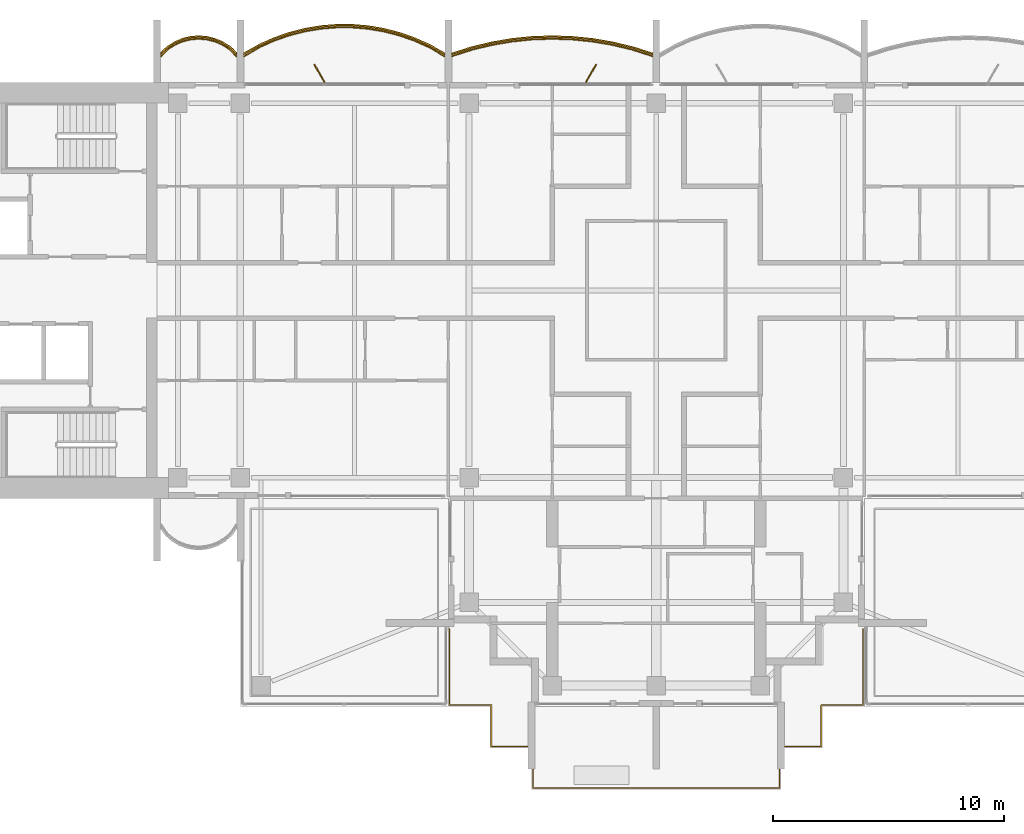
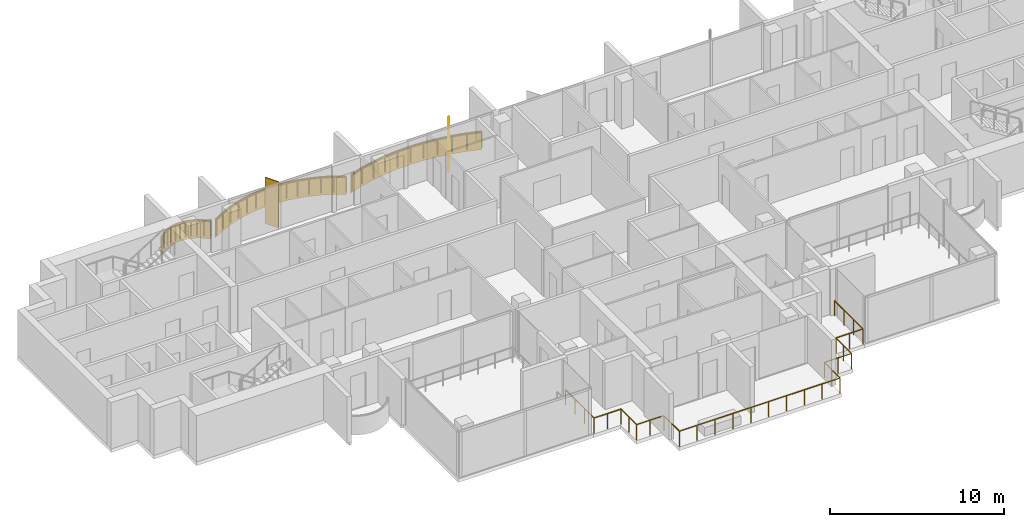
# One storey, part 14 of 16: 4 railings, 3 coverings, 2 shading devices.
"""IFC4 building model written with IfcOpenShell, lengths in metres."""

from ifc_helpers import new_model, si_unit, direction, frame, origin, origin_2d, place, context, subcontext, project, spatial, polyline, rectangle, outline, extrude, material, layer, layer_set, type_object, element, save


model = new_model("IFC4")

# Units and contexts
model_context = context("Model", 3, precision=1e-05, world=origin(), true_north=direction((0.0, 1.0)))
body_context = subcontext(model_context, "Body", "Model", "MODEL_VIEW")
ifc_project = project(units=[si_unit("LENGTHUNIT", "METRE"), si_unit("AREAUNIT", "SQUARE_METRE"), si_unit("VOLUMEUNIT", "CUBIC_METRE"), si_unit("PLANEANGLEUNIT", "RADIAN"), si_unit("MASSUNIT", "GRAM", prefix="KILO")], contexts=[model_context])

# Site, building, storey
site_placement = place(None, origin())
site = spatial("IfcSite", under=ifc_project, at=site_placement, CompositionType="ELEMENT")
building_placement = place(site_placement, origin())
building = spatial("IfcBuilding", under=site, at=building_placement, Name="Perihelion Cross Residences", CompositionType="ELEMENT")
storey_placement = place(building_placement, frame((0.0, 0.0, 232.5)))
storey = spatial("IfcBuildingStorey", under=building, at=storey_placement, Name="L58", CompositionType="ELEMENT", Elevation=232.5)

# Coverings
ifc_material_1 = material(Name="Bronze anodised aluminium", Category="aluminium")
ifc_layer_1 = layer(ifc_material_1, 0.070068359375)
ifc_layer_set_1 = layer_set([ifc_layer_1], Name="Balcony fascia 1300")
covering_type = type_object("IfcCoveringType", Name="Balcony fascia 1300", PredefinedType="CLADDING", material=ifc_layer_set_1)
covering_1_placement = place(storey_placement, frame((0.0, 0.0, -0.199951171875)))
element("IfcCovering", 1, at=covering_1_placement, inside=storey, type_object=covering_type, Name="Fascia BF1 L58 north side east bay 2", PredefinedType="CLADDING", context=body_context, shape_type="SweptSolid", body=[
    extrude(outline(polyline([(-1.001220703125, 10.542724609375), (-1.8759765625, 10.753662109375), (-2.750732421875, 10.90234375), (-3.625244140625, 10.99072265625), (-4.5, 11.02001953125), (-5.374755859375, 10.99072265625), (-6.249267578125, 10.90234375), (-7.1240234375, 10.753662109375), (-7.998779296875, 10.542724609375), (-8.85009765625, 10.2734375), (-8.85009765625, 10.199951171875), (-7.97998046875, 10.47509765625), (-7.110107421875, 10.68505859375), (-6.239990234375, 10.8330078125), (-5.3701171875, 10.9208984375), (-4.5, 10.949951171875), (-3.6298828125, 10.9208984375), (-2.760009765625, 10.8330078125), (-1.889892578125, 10.68505859375), (-1.02001953125, 10.47509765625), (-0.14990234375, 10.199951171875), (-0.14990234375, 10.2734375), (-1.001220703125, 10.542724609375)])), origin(), (0.0, 0.0, 1.0), 1.300048828125),
])
covering_2_placement = place(storey_placement, frame((0.0, 0.0, -0.199951171875)))
element("IfcCovering", 2, at=covering_2_placement, inside=storey, type_object=covering_type, Name="Fascia BF1 L58 west side north bay 1", PredefinedType="CLADDING", context=body_context, shape_type="SweptSolid", body=[
    extrude(outline(polyline([(-9.787841796875, 10.63916015625), (-10.462646484375, 10.941650390625), (-11.1376953125, 11.175048828125), (-11.8125, 11.345947265625), (-12.487548828125, 11.457763671875), (-13.16259765625, 11.51318359375), (-13.83740234375, 11.51318359375), (-14.512451171875, 11.457763671875), (-15.1875, 11.345947265625), (-15.8623046875, 11.175048828125), (-16.537353515625, 10.941650390625), (-17.212158203125, 10.63916015625), (-17.85009765625, 10.2802734375), (-17.85009765625, 10.199951171875), (-17.1806640625, 10.57666015625), (-16.511474609375, 10.87646484375), (-15.84228515625, 11.108154296875), (-15.173095703125, 11.27734375), (-14.50390625, 11.38818359375), (-13.834716796875, 11.443115234375), (-13.165283203125, 11.443115234375), (-12.49609375, 11.38818359375), (-11.826904296875, 11.27734375), (-11.15771484375, 11.108154296875), (-10.488525390625, 10.87646484375), (-9.8193359375, 10.57666015625), (-9.14990234375, 10.199951171875), (-9.14990234375, 10.2802734375), (-9.787841796875, 10.63916015625)])), origin(), (0.0, 0.0, 1.0), 1.300048828125),
])
covering_3_placement = place(storey_placement, frame((0.0, 0.0, -0.199951171875)))
element("IfcCovering", 3, at=covering_3_placement, inside=storey, type_object=covering_type, Name="Fascia BF1 L58 west side north bay 2", PredefinedType="CLADDING", context=body_context, shape_type="SweptSolid", body=[
    extrude(outline(polyline([(-18.4375, 10.56298828125), (-18.778076171875, 10.77587890625), (-19.11865234375, 10.914794921875), (-19.45947265625, 10.994140625), (-19.800048828125, 11.02001953125), (-20.140625, 10.994140625), (-20.481201171875, 10.914794921875), (-20.82177734375, 10.77587890625), (-21.16259765625, 10.56298828125), (-21.449951171875, 10.295654296875), (-21.449951171875, 10.199951171875), (-21.1201171875, 10.507568359375), (-20.7900390625, 10.71337890625), (-20.4599609375, 10.84814453125), (-20.1298828125, 10.925048828125), (-19.800048828125, 10.949951171875), (-19.469970703125, 10.925048828125), (-19.139892578125, 10.84814453125), (-18.81005859375, 10.71337890625), (-18.47998046875, 10.507568359375), (-18.14990234375, 10.199951171875), (-18.14990234375, 10.295654296875), (-18.4375, 10.56298828125)])), origin(), (0.0, 0.0, 1.0), 1.300048828125),
])

# Railings
ifc_material_2 = material(Name="Bronze anodised aluminium", Category="aluminium")
railing_type_1 = type_object("IfcRailingType", Name="Balcony guard 1100", PredefinedType="GUARDRAIL", material=ifc_material_2)
railing_1_placement = place(storey_placement, frame((-0.175048828125, 10.139892578125, 0.0)))
element("IfcRailing", 4, at=railing_1_placement, inside=storey, type_object=railing_type_1, Name="Guard GU1 L58 north side east bay 2 balcony", PredefinedType="GUARDRAIL", context=body_context, shape_type="SweptSolid", body=[
    extrude(rectangle(XDim=0.048095703125, YDim=0.048095703125, at=origin_2d()), frame((0.0, 0.0, 1.076171875), z_axis=(-0.950777354264, 0.30987484993, 0.0), x_axis=(-0.30987484993, -0.950777354264, 0.0)), (0.0, 0.0, 1.0), 0.888671875),
    extrude(rectangle(XDim=0.048095703125, YDim=0.048095703125, at=origin_2d()), frame((-0.844970703125, 0.275390625, 1.076171875), z_axis=(-0.972146551129, 0.234373810671, 0.0), x_axis=(-0.234373810671, -0.972146551129, 0.0)), (0.0, 0.0, 1.0), 0.894775390625),
    extrude(rectangle(XDim=0.048095703125, YDim=0.048095703125, at=origin_2d()), frame((-1.71484375, 0.485107421875, 1.076171875), z_axis=(-0.985850361727, 0.167627755108, 0.0), x_axis=(-0.167627755108, -0.985850361727, 0.0)), (0.0, 0.0, 1.0), 0.882568359375),
    extrude(rectangle(XDim=0.048095703125, YDim=0.048095703125, at=origin_2d()), frame((-2.5849609375, 0.633056640625, 1.076171875), z_axis=(-0.994934368303, 0.100526627165, 0.0), x_axis=(-0.100526627165, -0.994934368303, 0.0)), (0.0, 0.0, 1.0), 0.874267578125),
    extrude(rectangle(XDim=0.048095703125, YDim=0.048095703125, at=origin_2d()), frame((-3.454833984375, 0.720947265625, 1.076171875), z_axis=(-0.999443037968, 0.0333708534, 0.0), x_axis=(-0.0333708534, -0.999443037968, 0.0)), (0.0, 0.0, 1.0), 0.87060546875),
    extrude(rectangle(XDim=0.048095703125, YDim=0.048095703125, at=origin_2d()), frame((-4.324951171875, 0.75, 1.076171875), z_axis=(-0.999443037968, -0.0333708534, 0.0), x_axis=(0.0333708534, -0.999443037968, 0.0)), (0.0, 0.0, 1.0), 0.87060546875),
    extrude(rectangle(XDim=0.048095703125, YDim=0.048095703125, at=origin_2d()), frame((-5.195068359375, 0.720947265625, 1.076171875), z_axis=(-0.994934368303, -0.100526627165, 0.0), x_axis=(0.100526627165, -0.994934368303, 0.0)), (0.0, 0.0, 1.0), 0.874267578125),
    extrude(rectangle(XDim=0.048095703125, YDim=0.048095703125, at=origin_2d()), frame((-6.06494140625, 0.633056640625, 1.076171875), z_axis=(-0.985850361727, -0.167627755108, 0.0), x_axis=(0.167627755108, -0.985850361727, 0.0)), (0.0, 0.0, 1.0), 0.882568359375),
    extrude(rectangle(XDim=0.048095703125, YDim=0.048095703125, at=origin_2d()), frame((-6.93505859375, 0.485107421875, 1.076171875), z_axis=(-0.972146551129, -0.234373810671, 0.0), x_axis=(0.234373810671, -0.972146551129, 0.0)), (0.0, 0.0, 1.0), 0.894775390625),
    extrude(rectangle(XDim=0.048095703125, YDim=0.048095703125, at=origin_2d()), frame((-7.804931640625, 0.275390625, 1.076171875), z_axis=(-0.950777354264, -0.30987484993, 0.0), x_axis=(0.30987484993, -0.950777354264, 0.0)), (0.0, 0.0, 1.0), 0.888671875),
    extrude(rectangle(XDim=0.0419921875, YDim=0.0419921875, at=origin_2d()), origin(), (0.0, 0.0, 1.0), 1.052001953125),
    extrude(rectangle(XDim=0.0419921875, YDim=0.0419921875, at=origin_2d()), frame((-0.844970703125, 0.275390625, 0.0)), (0.0, 0.0, 1.0), 1.052001953125),
    extrude(rectangle(XDim=0.0419921875, YDim=0.0419921875, at=origin_2d()), frame((-1.71484375, 0.485107421875, 0.0)), (0.0, 0.0, 1.0), 1.052001953125),
    extrude(rectangle(XDim=0.0419921875, YDim=0.0419921875, at=origin_2d()), frame((-2.5849609375, 0.633056640625, 0.0)), (0.0, 0.0, 1.0), 1.052001953125),
    extrude(rectangle(XDim=0.0419921875, YDim=0.0419921875, at=origin_2d()), frame((-3.454833984375, 0.720947265625, 0.0)), (0.0, 0.0, 1.0), 1.052001953125),
    extrude(rectangle(XDim=0.0419921875, YDim=0.0419921875, at=origin_2d()), frame((-4.324951171875, 0.75, 0.0)), (0.0, 0.0, 1.0), 1.052001953125),
    extrude(rectangle(XDim=0.0419921875, YDim=0.0419921875, at=origin_2d()), frame((-5.195068359375, 0.720947265625, 0.0)), (0.0, 0.0, 1.0), 1.052001953125),
    extrude(rectangle(XDim=0.0419921875, YDim=0.0419921875, at=origin_2d()), frame((-6.06494140625, 0.633056640625, 0.0)), (0.0, 0.0, 1.0), 1.052001953125),
    extrude(rectangle(XDim=0.0419921875, YDim=0.0419921875, at=origin_2d()), frame((-6.93505859375, 0.485107421875, 0.0)), (0.0, 0.0, 1.0), 1.052001953125),
    extrude(rectangle(XDim=0.0419921875, YDim=0.0419921875, at=origin_2d()), frame((-7.804931640625, 0.275390625, 0.0)), (0.0, 0.0, 1.0), 1.052001953125),
    extrude(rectangle(XDim=0.0419921875, YDim=0.0419921875, at=origin_2d()), frame((-8.64990234375, 0.0, 0.0)), (0.0, 0.0, 1.0), 1.052001953125),
])
railing_2_placement = place(storey_placement, frame((-9.175048828125, 10.139892578125, 0.0)))
element("IfcRailing", 5, at=railing_2_placement, inside=storey, type_object=railing_type_1, Name="Guard GU1 L58 west side north bay 1 balcony", PredefinedType="GUARDRAIL", context=body_context, shape_type="SweptSolid", body=[
    extrude(rectangle(XDim=0.048095703125, YDim=0.048095703125, at=origin_2d()), frame((0.0, 0.0, 1.076171875), z_axis=(-0.863125740505, 0.504989065305, 0.0), x_axis=(-0.504989065305, -0.863125740505, 0.0)), (0.0, 0.0, 1.0), 0.746337890625),
    extrude(rectangle(XDim=0.048095703125, YDim=0.048095703125, at=origin_2d()), frame((-0.644287109375, 0.376953125, 1.076171875), z_axis=(-0.912723499295, 0.408577794103, 0.0), x_axis=(-0.408577794103, -0.912723499295, 0.0)), (0.0, 0.0, 1.0), 0.733154296875),
    extrude(rectangle(XDim=0.048095703125, YDim=0.048095703125, at=origin_2d()), frame((-1.3134765625, 0.676513671875, 1.076171875), z_axis=(-0.944965577734, 0.327169767701, 0.0), x_axis=(-0.327169767701, -0.944965577734, 0.0)), (0.0, 0.0, 1.0), 0.708251953125),
    extrude(rectangle(XDim=0.048095703125, YDim=0.048095703125, at=origin_2d()), frame((-1.982666015625, 0.908203125, 1.076171875), z_axis=(-0.96949408574, 0.245114703181, 0.0), x_axis=(-0.245114703181, -0.96949408574, 0.0)), (0.0, 0.0, 1.0), 0.690185546875),
    extrude(rectangle(XDim=0.048095703125, YDim=0.048095703125, at=origin_2d()), frame((-2.65185546875, 1.077392578125, 1.076171875), z_axis=(-0.986500713816, 0.163756959061, 0.0), x_axis=(-0.163756959061, -0.986500713816, 0.0)), (0.0, 0.0, 1.0), 0.678466796875),
    extrude(rectangle(XDim=0.048095703125, YDim=0.048095703125, at=origin_2d()), frame((-3.321044921875, 1.1884765625, 1.076171875), z_axis=(-0.996677390684, 0.081450468994, 0.0), x_axis=(-0.081450468994, -0.996677390684, 0.0)), (0.0, 0.0, 1.0), 0.67138671875),
    extrude(rectangle(XDim=0.048095703125, YDim=0.048095703125, at=origin_2d()), frame((-3.990234375, 1.2431640625, 1.076171875), z_axis=(-1.0, 0.0, 0.0), x_axis=(0.0, -1.0, 0.0)), (0.0, 0.0, 1.0), 0.66943359375),
    extrude(rectangle(XDim=0.048095703125, YDim=0.048095703125, at=origin_2d()), frame((-4.65966796875, 1.2431640625, 1.076171875), z_axis=(-0.996677390684, -0.081450468994, 0.0), x_axis=(0.081450468994, -0.996677390684, 0.0)), (0.0, 0.0, 1.0), 0.67138671875),
    extrude(rectangle(XDim=0.048095703125, YDim=0.048095703125, at=origin_2d()), frame((-5.328857421875, 1.1884765625, 1.076171875), z_axis=(-0.986500713816, -0.163756959061, 0.0), x_axis=(0.163756959061, -0.986500713816, 0.0)), (0.0, 0.0, 1.0), 0.678466796875),
    extrude(rectangle(XDim=0.048095703125, YDim=0.048095703125, at=origin_2d()), frame((-5.998046875, 1.077392578125, 1.076171875), z_axis=(-0.96949408574, -0.245114703181, 0.0), x_axis=(0.245114703181, -0.96949408574, 0.0)), (0.0, 0.0, 1.0), 0.690185546875),
    extrude(rectangle(XDim=0.048095703125, YDim=0.048095703125, at=origin_2d()), frame((-6.667236328125, 0.908203125, 1.076171875), z_axis=(-0.944965577734, -0.327169767701, 0.0), x_axis=(0.327169767701, -0.944965577734, 0.0)), (0.0, 0.0, 1.0), 0.708251953125),
    extrude(rectangle(XDim=0.048095703125, YDim=0.048095703125, at=origin_2d()), frame((-7.33642578125, 0.676513671875, 1.076171875), z_axis=(-0.912723499295, -0.408577794103, 0.0), x_axis=(0.408577794103, -0.912723499295, 0.0)), (0.0, 0.0, 1.0), 0.733154296875),
    extrude(rectangle(XDim=0.048095703125, YDim=0.048095703125, at=origin_2d()), frame((-8.005615234375, 0.376953125, 1.076171875), z_axis=(-0.863125740505, -0.504989065305, 0.0), x_axis=(0.504989065305, -0.863125740505, 0.0)), (0.0, 0.0, 1.0), 0.746337890625),
    extrude(rectangle(XDim=0.0419921875, YDim=0.0419921875, at=origin_2d()), origin(), (0.0, 0.0, 1.0), 1.052001953125),
    extrude(rectangle(XDim=0.0419921875, YDim=0.0419921875, at=origin_2d()), frame((-0.644287109375, 0.376953125, 0.0)), (0.0, 0.0, 1.0), 1.052001953125),
    extrude(rectangle(XDim=0.0419921875, YDim=0.0419921875, at=origin_2d()), frame((-1.3134765625, 0.676513671875, 0.0)), (0.0, 0.0, 1.0), 1.052001953125),
    extrude(rectangle(XDim=0.0419921875, YDim=0.0419921875, at=origin_2d()), frame((-1.982666015625, 0.908203125, 0.0)), (0.0, 0.0, 1.0), 1.052001953125),
    extrude(rectangle(XDim=0.0419921875, YDim=0.0419921875, at=origin_2d()), frame((-2.65185546875, 1.077392578125, 0.0)), (0.0, 0.0, 1.0), 1.052001953125),
    extrude(rectangle(XDim=0.0419921875, YDim=0.0419921875, at=origin_2d()), frame((-3.321044921875, 1.1884765625, 0.0)), (0.0, 0.0, 1.0), 1.052001953125),
    extrude(rectangle(XDim=0.0419921875, YDim=0.0419921875, at=origin_2d()), frame((-3.990234375, 1.2431640625, 0.0)), (0.0, 0.0, 1.0), 1.052001953125),
    extrude(rectangle(XDim=0.0419921875, YDim=0.0419921875, at=origin_2d()), frame((-4.65966796875, 1.2431640625, 0.0)), (0.0, 0.0, 1.0), 1.052001953125),
    extrude(rectangle(XDim=0.0419921875, YDim=0.0419921875, at=origin_2d()), frame((-5.328857421875, 1.1884765625, 0.0)), (0.0, 0.0, 1.0), 1.052001953125),
    extrude(rectangle(XDim=0.0419921875, YDim=0.0419921875, at=origin_2d()), frame((-5.998046875, 1.077392578125, 0.0)), (0.0, 0.0, 1.0), 1.052001953125),
    extrude(rectangle(XDim=0.0419921875, YDim=0.0419921875, at=origin_2d()), frame((-6.667236328125, 0.908203125, 0.0)), (0.0, 0.0, 1.0), 1.052001953125),
    extrude(rectangle(XDim=0.0419921875, YDim=0.0419921875, at=origin_2d()), frame((-7.33642578125, 0.676513671875, 0.0)), (0.0, 0.0, 1.0), 1.052001953125),
    extrude(rectangle(XDim=0.0419921875, YDim=0.0419921875, at=origin_2d()), frame((-8.005615234375, 0.376953125, 0.0)), (0.0, 0.0, 1.0), 1.052001953125),
    extrude(rectangle(XDim=0.0419921875, YDim=0.0419921875, at=origin_2d()), frame((-8.64990234375, 0.0, 0.0)), (0.0, 0.0, 1.0), 1.052001953125),
])
railing_3_placement = place(storey_placement, frame((-18.175048828125, 10.139892578125, 0.0)))
element("IfcRailing", 6, at=railing_3_placement, inside=storey, type_object=railing_type_1, Name="Guard GU1 L58 west side north bay 2 balcony", PredefinedType="GUARDRAIL", context=body_context, shape_type="SweptSolid", body=[
    extrude(rectangle(XDim=0.048095703125, YDim=0.048095703125, at=origin_2d()), frame((0.0, 0.0, 1.076171875), z_axis=(-0.703999905859, 0.710200065158, 0.0), x_axis=(-0.710200065158, -0.703999905859, 0.0)), (0.0, 0.0, 1.0), 0.43310546875),
    extrude(rectangle(XDim=0.048095703125, YDim=0.048095703125, at=origin_2d()), frame((-0.304931640625, 0.3076171875, 1.076171875), z_axis=(-0.848280173265, 0.529547682127, 0.0), x_axis=(-0.529547682127, -0.848280173265, 0.0)), (0.0, 0.0, 1.0), 0.38916015625),
    extrude(rectangle(XDim=0.048095703125, YDim=0.048095703125, at=origin_2d()), frame((-0.635009765625, 0.513671875, 1.076171875), z_axis=(-0.925950379976, 0.377645195682, 0.0), x_axis=(-0.377645195682, -0.925950379976, 0.0)), (0.0, 0.0, 1.0), 0.356201171875),
    extrude(rectangle(XDim=0.048095703125, YDim=0.048095703125, at=origin_2d()), frame((-0.96484375, 0.648193359375, 1.076171875), z_axis=(-0.97391554583, 0.226910796551, 0.0), x_axis=(-0.226910796551, -0.97391554583, 0.0)), (0.0, 0.0, 1.0), 0.3388671875),
    extrude(rectangle(XDim=0.048095703125, YDim=0.048095703125, at=origin_2d()), frame((-1.294921875, 0.72509765625, 1.076171875), z_axis=(-0.997166208737, 0.075229995038, 0.0), x_axis=(-0.075229995038, -0.997166208737, 0.0)), (0.0, 0.0, 1.0), 0.3310546875),
    extrude(rectangle(XDim=0.048095703125, YDim=0.048095703125, at=origin_2d()), frame((-1.625, 0.75, 1.076171875), z_axis=(-0.997162029931, -0.075285364214, 0.0), x_axis=(0.075285364214, -0.997162029931, 0.0)), (0.0, 0.0, 1.0), 0.330810546875),
    extrude(rectangle(XDim=0.048095703125, YDim=0.048095703125, at=origin_2d()), frame((-1.954833984375, 0.72509765625, 1.076171875), z_axis=(-0.97391554583, -0.226910796551, 0.0), x_axis=(0.226910796551, -0.97391554583, 0.0)), (0.0, 0.0, 1.0), 0.3388671875),
    extrude(rectangle(XDim=0.048095703125, YDim=0.048095703125, at=origin_2d()), frame((-2.284912109375, 0.648193359375, 1.076171875), z_axis=(-0.926048033295, -0.377405670374, 0.0), x_axis=(0.377405670374, -0.926048033295, 0.0)), (0.0, 0.0, 1.0), 0.3564453125),
    extrude(rectangle(XDim=0.048095703125, YDim=0.048095703125, at=origin_2d()), frame((-2.614990234375, 0.513671875, 1.076171875), z_axis=(-0.848280173265, -0.529547682127, 0.0), x_axis=(0.529547682127, -0.848280173265, 0.0)), (0.0, 0.0, 1.0), 0.38916015625),
    extrude(rectangle(XDim=0.048095703125, YDim=0.048095703125, at=origin_2d()), frame((-2.945068359375, 0.3076171875, 1.076171875), z_axis=(-0.703999905859, -0.710200065158, 0.0), x_axis=(0.710200065158, -0.703999905859, 0.0)), (0.0, 0.0, 1.0), 0.43310546875),
    extrude(rectangle(XDim=0.0419921875, YDim=0.0419921875, at=origin_2d()), origin(), (0.0, 0.0, 1.0), 1.052001953125),
    extrude(rectangle(XDim=0.0419921875, YDim=0.0419921875, at=origin_2d()), frame((-0.304931640625, 0.3076171875, 0.0)), (0.0, 0.0, 1.0), 1.052001953125),
    extrude(rectangle(XDim=0.0419921875, YDim=0.0419921875, at=origin_2d()), frame((-0.635009765625, 0.513671875, 0.0)), (0.0, 0.0, 1.0), 1.052001953125),
    extrude(rectangle(XDim=0.0419921875, YDim=0.0419921875, at=origin_2d()), frame((-0.96484375, 0.648193359375, 0.0)), (0.0, 0.0, 1.0), 1.052001953125),
    extrude(rectangle(XDim=0.0419921875, YDim=0.0419921875, at=origin_2d()), frame((-1.294921875, 0.72509765625, 0.0)), (0.0, 0.0, 1.0), 1.052001953125),
    extrude(rectangle(XDim=0.0419921875, YDim=0.0419921875, at=origin_2d()), frame((-1.625, 0.75, 0.0)), (0.0, 0.0, 1.0), 1.052001953125),
    extrude(rectangle(XDim=0.0419921875, YDim=0.0419921875, at=origin_2d()), frame((-1.954833984375, 0.72509765625, 0.0)), (0.0, 0.0, 1.0), 1.052001953125),
    extrude(rectangle(XDim=0.0419921875, YDim=0.0419921875, at=origin_2d()), frame((-2.284912109375, 0.648193359375, 0.0)), (0.0, 0.0, 1.0), 1.052001953125),
    extrude(rectangle(XDim=0.0419921875, YDim=0.0419921875, at=origin_2d()), frame((-2.614990234375, 0.513671875, 0.0)), (0.0, 0.0, 1.0), 1.052001953125),
    extrude(rectangle(XDim=0.0419921875, YDim=0.0419921875, at=origin_2d()), frame((-2.945068359375, 0.3076171875, 0.0)), (0.0, 0.0, 1.0), 1.052001953125),
    extrude(rectangle(XDim=0.0419921875, YDim=0.0419921875, at=origin_2d()), frame((-3.25, 0.0, 0.0)), (0.0, 0.0, 1.0), 1.052001953125),
])

# Shading devices
ifc_material_3 = material(Name="Bronze anodised aluminium", Category="aluminium")
ifc_layer_2 = layer(ifc_material_3, 0.050048828125)
ifc_layer_set_2 = layer_set([ifc_layer_2], Name="Bronze fin 900")
shading_device_type = type_object("IfcShadingDeviceType", Name="Bronze fin 900", PredefinedType="USERDEFINED", material=ifc_layer_set_2)
for number, where, z_axis, x_axis, name in (
    (7, (-2.824951171875, 9.3896484375, 0.0), (0.0, 0.0, 1.0), (0.5, 0.866025403784, 0.0), "Fin FN1 L58 north side east bay 2"),
    (8, (-14.574951171875, 9.3896484375, 0.0), (0.0, 0.0, 1.0), (-0.5, 0.866025403784, 0.0), "Fin FN1 L58 west side north bay 1"),
):
    element("IfcShadingDevice", number, at=place(storey_placement, frame(where, z_axis=z_axis, x_axis=x_axis)), inside=storey, type_object=shading_device_type, Name=name, ObjectType="FIN", PredefinedType="USERDEFINED", context=body_context, shape_type="SweptSolid", body=[
        extrude(rectangle(XDim=0.89990234375, YDim=0.050048828125, at=origin_2d()), origin(), (0.0, 0.0, 1.0), 3.25),
    ])

# Railing
ifc_material_4 = material(Name="Bronze anodised aluminium", Category="aluminium")
railing_type_2 = type_object("IfcRailingType", Name="Terrace guard 1100", PredefinedType="GUARDRAIL", material=ifc_material_4)
railing_4_placement = place(storey_placement, frame((8.93994140625, -14.64990234375, 0.0)))
element("IfcRailing", 9, at=railing_4_placement, inside=storey, type_object=railing_type_2, Name="Guard GU2 L58 terrace 1 1", PredefinedType="GUARDRAIL", context=body_context, shape_type="SweptSolid", body=[
    extrude(rectangle(XDim=0.048095703125, YDim=0.048095703125, at=origin_2d()), frame((0.0, 0.0, 1.076171875), z_axis=(0.0, -1.0, 0.0), x_axis=(1.0, 0.0, 0.0)), (0.0, 0.0, 1.0), 3.2900390625),
    extrude(rectangle(XDim=0.048095703125, YDim=0.048095703125, at=origin_2d()), frame((0.0, -3.2900390625, 1.076171875), z_axis=(-1.0, 0.0, 0.0), x_axis=(0.0, -1.0, 0.0)), (0.0, 0.0, 1.0), 1.800048828125),
    extrude(rectangle(XDim=0.048095703125, YDim=0.048095703125, at=origin_2d()), frame((-1.800048828125, -3.2900390625, 1.076171875), z_axis=(0.0, -1.0, 0.0), x_axis=(1.0, 0.0, 0.0)), (0.0, 0.0, 1.0), 1.800048828125),
    extrude(rectangle(XDim=0.048095703125, YDim=0.048095703125, at=origin_2d()), frame((-1.800048828125, -5.090087890625, 1.076171875), z_axis=(-1.0, 0.0, 0.0), x_axis=(0.0, -1.0, 0.0)), (0.0, 0.0, 1.0), 1.7998046875),
    extrude(rectangle(XDim=0.048095703125, YDim=0.048095703125, at=origin_2d()), frame((-3.599853515625, -5.090087890625, 1.076171875), z_axis=(0.0, -1.0, 0.0), x_axis=(1.0, 0.0, 0.0)), (0.0, 0.0, 1.0), 1.800048828125),
    extrude(rectangle(XDim=0.048095703125, YDim=0.048095703125, at=origin_2d()), frame((-3.599853515625, -6.89013671875, 1.076171875), z_axis=(-1.0, 0.0, 0.0), x_axis=(0.0, -1.0, 0.0)), (0.0, 0.0, 1.0), 10.68017578125),
    extrude(rectangle(XDim=0.048095703125, YDim=0.048095703125, at=origin_2d()), frame((-14.280029296875, -6.89013671875, 1.076171875), z_axis=(0.0, 1.0, 0.0), x_axis=(-1.0, 0.0, 0.0)), (0.0, 0.0, 1.0), 1.800048828125),
    extrude(rectangle(XDim=0.048095703125, YDim=0.048095703125, at=origin_2d()), frame((-14.280029296875, -5.090087890625, 1.076171875), z_axis=(-1.0, 0.0, 0.0), x_axis=(0.0, -1.0, 0.0)), (0.0, 0.0, 1.0), 1.7998046875),
    extrude(rectangle(XDim=0.048095703125, YDim=0.048095703125, at=origin_2d()), frame((-16.079833984375, -5.090087890625, 1.076171875), z_axis=(0.0, 1.0, 0.0), x_axis=(-1.0, 0.0, 0.0)), (0.0, 0.0, 1.0), 1.800048828125),
    extrude(rectangle(XDim=0.048095703125, YDim=0.048095703125, at=origin_2d()), frame((-16.079833984375, -3.2900390625, 1.076171875), z_axis=(-1.0, 0.0, 0.0), x_axis=(0.0, -1.0, 0.0)), (0.0, 0.0, 1.0), 1.800048828125),
    extrude(rectangle(XDim=0.048095703125, YDim=0.048095703125, at=origin_2d()), frame((-17.8798828125, -3.2900390625, 1.076171875), z_axis=(0.0, 1.0, 0.0), x_axis=(-1.0, 0.0, 0.0)), (0.0, 0.0, 1.0), 3.2900390625),
    extrude(rectangle(XDim=0.0419921875, YDim=0.0419921875, at=origin_2d()), origin(), (0.0, 0.0, 1.0), 1.052001953125),
    extrude(rectangle(XDim=0.0419921875, YDim=0.0419921875, at=origin_2d()), frame((0.0, -1.0966796875, 0.0)), (0.0, 0.0, 1.0), 1.052001953125),
    extrude(rectangle(XDim=0.0419921875, YDim=0.0419921875, at=origin_2d()), frame((0.0, -2.193359375, 0.0)), (0.0, 0.0, 1.0), 1.052001953125),
    extrude(rectangle(XDim=0.0419921875, YDim=0.0419921875, at=origin_2d()), frame((0.0, -3.2900390625, 0.0)), (0.0, 0.0, 1.0), 1.052001953125),
    extrude(rectangle(XDim=0.0419921875, YDim=0.0419921875, at=origin_2d()), frame((-0.89990234375, -3.2900390625, 0.0)), (0.0, 0.0, 1.0), 1.052001953125),
    extrude(rectangle(XDim=0.0419921875, YDim=0.0419921875, at=origin_2d()), frame((-1.800048828125, -3.2900390625, 0.0)), (0.0, 0.0, 1.0), 1.052001953125),
    extrude(rectangle(XDim=0.0419921875, YDim=0.0419921875, at=origin_2d()), frame((-1.800048828125, -4.18994140625, 0.0)), (0.0, 0.0, 1.0), 1.052001953125),
    extrude(rectangle(XDim=0.0419921875, YDim=0.0419921875, at=origin_2d()), frame((-1.800048828125, -5.090087890625, 0.0)), (0.0, 0.0, 1.0), 1.052001953125),
    extrude(rectangle(XDim=0.0419921875, YDim=0.0419921875, at=origin_2d()), frame((-2.699951171875, -5.090087890625, 0.0)), (0.0, 0.0, 1.0), 1.052001953125),
    extrude(rectangle(XDim=0.0419921875, YDim=0.0419921875, at=origin_2d()), frame((-3.599853515625, -5.090087890625, 0.0)), (0.0, 0.0, 1.0), 1.052001953125),
    extrude(rectangle(XDim=0.0419921875, YDim=0.0419921875, at=origin_2d()), frame((-3.599853515625, -5.990234375, 0.0)), (0.0, 0.0, 1.0), 1.052001953125),
    extrude(rectangle(XDim=0.0419921875, YDim=0.0419921875, at=origin_2d()), frame((-3.599853515625, -6.89013671875, 0.0)), (0.0, 0.0, 1.0), 1.052001953125),
    extrude(rectangle(XDim=0.0419921875, YDim=0.0419921875, at=origin_2d()), frame((-4.78662109375, -6.89013671875, 0.0)), (0.0, 0.0, 1.0), 1.052001953125),
    extrude(rectangle(XDim=0.0419921875, YDim=0.0419921875, at=origin_2d()), frame((-5.97314453125, -6.89013671875, 0.0)), (0.0, 0.0, 1.0), 1.052001953125),
    extrude(rectangle(XDim=0.0419921875, YDim=0.0419921875, at=origin_2d()), frame((-7.159912109375, -6.89013671875, 0.0)), (0.0, 0.0, 1.0), 1.052001953125),
    extrude(rectangle(XDim=0.0419921875, YDim=0.0419921875, at=origin_2d()), frame((-8.3466796875, -6.89013671875, 0.0)), (0.0, 0.0, 1.0), 1.052001953125),
    extrude(rectangle(XDim=0.0419921875, YDim=0.0419921875, at=origin_2d()), frame((-9.533203125, -6.89013671875, 0.0)), (0.0, 0.0, 1.0), 1.052001953125),
    extrude(rectangle(XDim=0.0419921875, YDim=0.0419921875, at=origin_2d()), frame((-10.719970703125, -6.89013671875, 0.0)), (0.0, 0.0, 1.0), 1.052001953125),
    extrude(rectangle(XDim=0.0419921875, YDim=0.0419921875, at=origin_2d()), frame((-11.90673828125, -6.89013671875, 0.0)), (0.0, 0.0, 1.0), 1.052001953125),
    extrude(rectangle(XDim=0.0419921875, YDim=0.0419921875, at=origin_2d()), frame((-13.09326171875, -6.89013671875, 0.0)), (0.0, 0.0, 1.0), 1.052001953125),
    extrude(rectangle(XDim=0.0419921875, YDim=0.0419921875, at=origin_2d()), frame((-14.280029296875, -6.89013671875, 0.0)), (0.0, 0.0, 1.0), 1.052001953125),
    extrude(rectangle(XDim=0.0419921875, YDim=0.0419921875, at=origin_2d()), frame((-14.280029296875, -5.990234375, 0.0)), (0.0, 0.0, 1.0), 1.052001953125),
    extrude(rectangle(XDim=0.0419921875, YDim=0.0419921875, at=origin_2d()), frame((-14.280029296875, -5.090087890625, 0.0)), (0.0, 0.0, 1.0), 1.052001953125),
    extrude(rectangle(XDim=0.0419921875, YDim=0.0419921875, at=origin_2d()), frame((-15.179931640625, -5.090087890625, 0.0)), (0.0, 0.0, 1.0), 1.052001953125),
    extrude(rectangle(XDim=0.0419921875, YDim=0.0419921875, at=origin_2d()), frame((-16.079833984375, -5.090087890625, 0.0)), (0.0, 0.0, 1.0), 1.052001953125),
    extrude(rectangle(XDim=0.0419921875, YDim=0.0419921875, at=origin_2d()), frame((-16.079833984375, -4.18994140625, 0.0)), (0.0, 0.0, 1.0), 1.052001953125),
    extrude(rectangle(XDim=0.0419921875, YDim=0.0419921875, at=origin_2d()), frame((-16.079833984375, -3.2900390625, 0.0)), (0.0, 0.0, 1.0), 1.052001953125),
    extrude(rectangle(XDim=0.0419921875, YDim=0.0419921875, at=origin_2d()), frame((-16.97998046875, -3.2900390625, 0.0)), (0.0, 0.0, 1.0), 1.052001953125),
    extrude(rectangle(XDim=0.0419921875, YDim=0.0419921875, at=origin_2d()), frame((-17.8798828125, -3.2900390625, 0.0)), (0.0, 0.0, 1.0), 1.052001953125),
    extrude(rectangle(XDim=0.0419921875, YDim=0.0419921875, at=origin_2d()), frame((-17.8798828125, -2.193359375, 0.0)), (0.0, 0.0, 1.0), 1.052001953125),
    extrude(rectangle(XDim=0.0419921875, YDim=0.0419921875, at=origin_2d()), frame((-17.8798828125, -1.0966796875, 0.0)), (0.0, 0.0, 1.0), 1.052001953125),
    extrude(rectangle(XDim=0.0419921875, YDim=0.0419921875, at=origin_2d()), frame((-17.8798828125, 0.0, 0.0)), (0.0, 0.0, 1.0), 1.052001953125),
])

save(model, "model.ifc")
